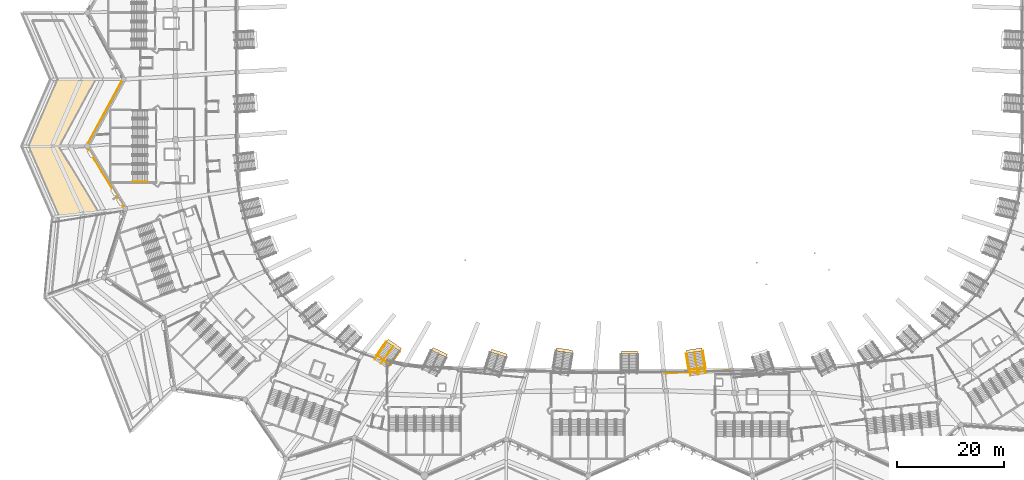
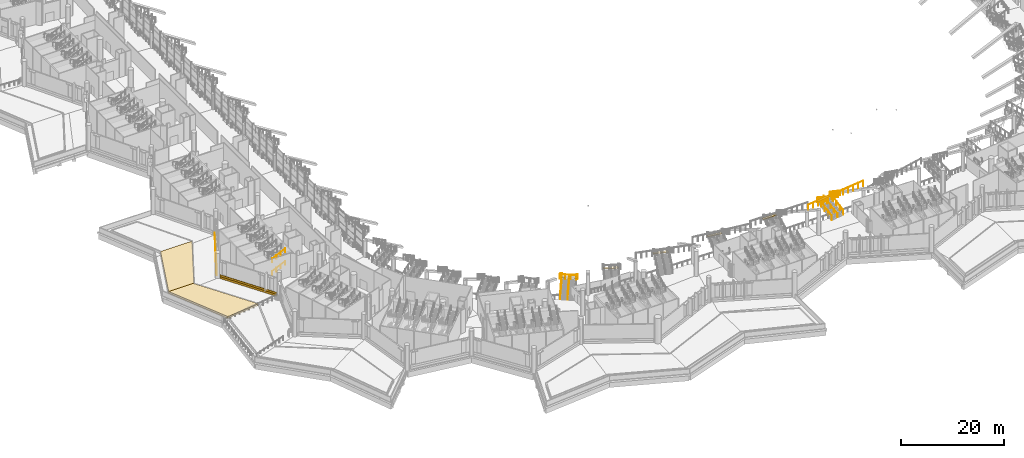
# One storey, part 120 of 173: 12 coverings, 10 railings.
"""IFC4 building model written with IfcOpenShell, lengths in metres."""

from ifc_helpers import new_model, si_unit, direction, frame, origin, origin_2d, place, context, subcontext, project, spatial, polyline, rectangle, circle, outline, extrude, material, layer, layer_set, type_object, element, save


model = new_model("IFC4")

# Units and contexts
model_context = context("Model", 3, precision=1e-05, world=origin(), true_north=direction((0.0, 1.0)))
body_context = subcontext(model_context, "Body", "Model", "MODEL_VIEW")
ifc_project = project(units=[si_unit("LENGTHUNIT", "METRE"), si_unit("AREAUNIT", "SQUARE_METRE"), si_unit("VOLUMEUNIT", "CUBIC_METRE"), si_unit("PLANEANGLEUNIT", "RADIAN"), si_unit("MASSUNIT", "GRAM", prefix="KILO")], contexts=[model_context])

# Site, building, storey
site_placement = place(None, origin())
site = spatial("IfcSite", under=ifc_project, at=site_placement, CompositionType="ELEMENT")
building_placement = place(site_placement, origin())
building = spatial("IfcBuilding", under=site, at=building_placement, Name="Meseta Stadium", CompositionType="ELEMENT")
storey_placement = place(building_placement, frame((0.0, 0.0, 18.0)))
storey = spatial("IfcBuildingStorey", under=building, at=storey_placement, Name="L03", CompositionType="ELEMENT", Elevation=18.0)

# Coverings
ifc_material_1 = material(Name="Guadarrama granite cladding", Category="masonry")
ifc_layer_1 = layer(ifc_material_1, 0.06005859375)
ifc_layer_set_1 = layer_set([ifc_layer_1], Name="Granite plinth cladding 60")
covering_type_1 = type_object("IfcCoveringType", Name="Granite plinth cladding 60", PredefinedType="CLADDING", material=ifc_layer_set_1)
covering_1_placement = place(storey_placement, frame((-98.124267578125, -37.404052734375, 0.0), z_axis=(0.0, 0.0, 1.0), x_axis=(0.47786723231, 0.878432073802, 0.0)))
element("IfcCovering", 1, at=covering_1_placement, inside=storey, type_object=covering_type_1, Name="Granite plinth L03 F35", PredefinedType="CLADDING", context=body_context, shape_type="SweptSolid", body=[
    extrude(rectangle(XDim=13.040283203125, YDim=0.06005859375, at=origin_2d()), origin(), (0.0, 0.0, 1.0), 0.5),
])
covering_2_placement = place(storey_placement, frame((-97.966796875, -49.697509765625, 0.0), z_axis=(0.0, 0.0, 1.0), x_axis=(-0.519362515398, 0.854554022634, 0.0)))
element("IfcCovering", 2, at=covering_2_placement, inside=storey, type_object=covering_type_1, Name="Granite plinth L03 F36", PredefinedType="CLADDING", context=body_context, shape_type="SweptSolid", body=[
    extrude(rectangle(XDim=12.492431640625, YDim=0.06005859375, at=origin_2d()), origin(), (0.0, 0.0, 1.0), 0.5),
])
ifc_material_2 = material(Name="Planting soil")
ifc_layer_2 = layer(ifc_material_2, 0.449951171875)
ifc_layer_set_2 = layer_set([ifc_layer_2], Name="Planting soil 450")
covering_type_2 = type_object("IfcCoveringType", Name="Planting soil 450", PredefinedType="FLOORING", material=ifc_layer_set_2)
covering_3_placement = place(storey_placement, origin())
element("IfcCovering", 3, at=covering_3_placement, inside=storey, type_object=covering_type_2, Name="Roof garden planting bed 5.1 panel 01", PredefinedType="FLOORING", context=body_context, shape_type="SweptSolid", body=[
    extrude(outline(polyline([(-99.8935546875, -31.25), (-106.966064453125, -31.25), (-112.364501953125, -43.74658203125), (-112.363037109375, -43.75), (-106.693603515625, -43.75), (-99.8935546875, -31.25)])), origin(), (0.0, 0.0, 1.0), 0.449951171875),
])
covering_4_placement = place(storey_placement, origin())
element("IfcCovering", 4, at=covering_4_placement, inside=storey, type_object=covering_type_2, Name="Roof garden planting bed 5.1 panel 02", PredefinedType="FLOORING", context=body_context, shape_type="SweptSolid", body=[
    extrude(outline(polyline([(-106.693603515625, -43.75), (-112.363037109375, -43.75), (-106.676513671875, -56.76416015625), (-106.683349609375, -56.83740234375), (-99.38720703125, -56.015380859375), (-106.763427734375, -43.87841796875), (-106.693603515625, -43.75)])), origin(), (0.0, 0.0, 1.0), 0.449951171875),
])

# Railings
ifc_material_3 = material(Name="Steel S355", Category="steel")
railing_type_1 = type_object("IfcRailingType", Name="Stair handrail 900", PredefinedType="HANDRAIL", material=ifc_material_3)
for number, where, name in (
    (5, (-92.97998046875, -50.39990234375, 1.64990234375), "ST76 L03 handrail 2"),
    (6, (-92.97998046875, -50.39990234375, 4.64990234375), "ST76 L03 handrail 4"),
):
    element("IfcRailing", number, at=place(storey_placement, frame(where)), inside=storey, type_object=railing_type_1, Name=name, PredefinedType="HANDRAIL", context=body_context, shape_type="SweptSolid", body=[
        extrude(circle(Radius=0.02392578125, at=origin_2d()), frame((0.0, 0.0, 0.8759765625), z_axis=(0.905440498372, 0.0, 0.424473207528), x_axis=(0.0, 1.0, 0.0)), (0.0, 0.0, 1.0), 3.1806640625),
        extrude(circle(Radius=0.02099609375, at=origin_2d()), origin(), (0.0, 0.0, 1.0), 0.851806640625),
        extrude(circle(Radius=0.02099609375, at=origin_2d()), frame((0.9599609375, 0.0, 0.449951171875)), (0.0, 0.0, 1.0), 0.851806640625),
        extrude(circle(Radius=0.02099609375, at=origin_2d()), frame((1.919921875, 0.0, 0.900146484375)), (0.0, 0.0, 1.0), 0.851806640625),
        extrude(circle(Radius=0.02099609375, at=origin_2d()), frame((2.8798828125, 0.0, 1.35009765625)), (0.0, 0.0, 1.0), 0.851806640625),
    ])
ifc_material_4 = material(Name="Steel S355", Category="steel")
railing_type_2 = type_object("IfcRailingType", Name="Stand rear guard 1300", PredefinedType="GUARDRAIL", material=ifc_material_4)
railing_1_placement = place(storey_placement, frame((6.4208984375, -86.3046875, 3.9775390625)))
element("IfcRailing", 7, at=railing_1_placement, inside=storey, type_object=railing_type_2, Name="Stand upper tier rear guard bay 48", PredefinedType="GUARDRAIL", context=body_context, shape_type="SweptSolid", body=[
    extrude(circle(Radius=0.02490234375, at=origin_2d()), frame((0.0, 0.0, 1.27490234375), z_axis=(0.996516209228, 0.04984306383, 0.066866387168), x_axis=(-0.049954865883, 0.998751476282, 0.0)), (0.0, 0.0, 1.0), 12.7353515625),
    extrude(circle(Radius=0.02001953125, at=origin_2d()), origin(), (0.0, 0.0, 1.0), 1.25),
    extrude(circle(Radius=0.02001953125, at=origin_2d()), frame((1.15380859375, 0.0576171875, 0.077392578125)), (0.0, 0.0, 1.0), 1.25),
    extrude(circle(Radius=0.02001953125, at=origin_2d()), frame((2.307373046875, 0.115478515625, 0.15478515625)), (0.0, 0.0, 1.0), 1.25),
    extrude(circle(Radius=0.02001953125, at=origin_2d()), frame((3.461181640625, 0.173095703125, 0.232177734375)), (0.0, 0.0, 1.0), 1.25),
    extrude(circle(Radius=0.02001953125, at=origin_2d()), frame((4.614990234375, 0.230712890625, 0.3095703125)), (0.0, 0.0, 1.0), 1.25),
    extrude(circle(Radius=0.02001953125, at=origin_2d()), frame((5.7685546875, 0.28857421875, 0.386962890625)), (0.0, 0.0, 1.0), 1.25),
    extrude(circle(Radius=0.02001953125, at=origin_2d()), frame((6.92236328125, 0.34619140625, 0.464599609375)), (0.0, 0.0, 1.0), 1.25),
    extrude(circle(Radius=0.02001953125, at=origin_2d()), frame((8.075927734375, 0.404052734375, 0.5419921875)), (0.0, 0.0, 1.0), 1.25),
    extrude(circle(Radius=0.02001953125, at=origin_2d()), frame((9.229736328125, 0.461669921875, 0.619384765625)), (0.0, 0.0, 1.0), 1.25),
    extrude(circle(Radius=0.02001953125, at=origin_2d()), frame((10.383544921875, 0.519287109375, 0.69677734375)), (0.0, 0.0, 1.0), 1.25),
    extrude(circle(Radius=0.02001953125, at=origin_2d()), frame((11.537109375, 0.5771484375, 0.774169921875)), (0.0, 0.0, 1.0), 1.25),
    extrude(circle(Radius=0.02001953125, at=origin_2d()), frame((12.69091796875, 0.634765625, 0.8515625)), (0.0, 0.0, 1.0), 1.25),
])

# Coverings
ifc_material_5 = material(Name="Precast concrete C40/50, terracotta pigment", Category="masonry")
ifc_layer_3 = layer(ifc_material_5, 0.080078125)
ifc_layer_set_3 = layer_set([ifc_layer_3], Name="Precast concrete C40/50, terracotta pigment")
covering_type_3 = type_object("IfcCoveringType", Name="Terracotta precast band 80", PredefinedType="CLADDING", material=ifc_layer_set_3)
covering_5_placement = place(storey_placement, frame((-98.133056640625, -37.399169921875, 0.5), z_axis=(0.0, 0.0, 1.0), x_axis=(0.47786723231, 0.878432073802, 0.0)))
element("IfcCovering", 8, at=covering_5_placement, inside=storey, type_object=covering_type_3, Name="Terracotta band L03 F35", PredefinedType="CLADDING", context=body_context, shape_type="SweptSolid", body=[
    extrude(rectangle(XDim=13.040283203125, YDim=0.080078125, at=origin_2d()), origin(), (0.0, 0.0, 1.0), 0.449951171875),
])
covering_6_placement = place(storey_placement, frame((-97.97509765625, -49.702880859375, 0.5), z_axis=(0.0, 0.0, 1.0), x_axis=(-0.519362515398, 0.854554022634, 0.0)))
element("IfcCovering", 9, at=covering_6_placement, inside=storey, type_object=covering_type_3, Name="Terracotta band L03 F36", PredefinedType="CLADDING", context=body_context, shape_type="SweptSolid", body=[
    extrude(rectangle(XDim=12.492431640625, YDim=0.080078125, at=origin_2d()), origin(), (0.0, 0.0, 1.0), 0.449951171875),
])
ifc_material_6 = material(Name="Stone paving", Category="masonry")
ifc_layer_4 = layer(ifc_material_6, 0.02001953125)
ifc_layer_set_4 = layer_set([ifc_layer_4], Name="Vomitory exit threshold plate 20")
covering_type_4 = type_object("IfcCoveringType", Name="Vomitory exit threshold plate 20", PredefinedType="FLOORING", material=ifc_layer_set_4)
for number, where, z_axis, x_axis, name in (
    (10, (-44.034423828125, -80.973876953125, 2.451416015625), (0.0, 0.0, 1.0), (0.567899772853, 0.82309771473, 0.0), "Vomitory V-upper-43 exit threshold"),
    (11, (-35.51220703125, -82.339599609375, 2.5791015625), (0.0, 0.0, 1.0), (0.437966379942, 0.898991351483, 0.0), "Vomitory V-upper-44 exit threshold"),
    (12, (-24.425537109375, -82.470458984375, 2.455322265625), (0.0, 0.0, 1.0), (0.302579501013, 0.953124150133, 0.0), "Vomitory V-upper-45 exit threshold"),
    (13, (-12.13916015625, -82.013427734375, 2.077880859375), (0.0, 0.0, 1.0), (0.15676715754, 0.987635589839, 0.0), "Vomitory V-upper-46 exit threshold"),
    (14, (0.0, -82.352783203125, 2.26318359375), (0.0, 0.0, 1.0), (0.0, 1.0, 0.0), "Vomitory V-upper-47 exit threshold"),
    (15, (12.13916015625, -82.013427734375, 2.077880859375), (0.0, 0.0, 1.0), (-0.15676715754, 0.987635589839, 0.0), "Vomitory V-upper-48 exit threshold"),
):
    element("IfcCovering", number, at=place(storey_placement, frame(where, z_axis=z_axis, x_axis=x_axis)), inside=storey, type_object=covering_type_4, Name=name, PredefinedType="FLOORING", context=body_context, shape_type="SweptSolid", body=[
        extrude(rectangle(XDim=0.60009765625, YDim=3.0, at=origin_2d()), origin(), (0.0, 0.0, 1.0), 0.02001953125),
    ])

# Railings
ifc_material_7 = material(Name="Steel S355", Category="steel")
railing_type_3 = type_object("IfcRailingType", Name="Vomitory slot guard 1100", PredefinedType="GUARDRAIL", material=ifc_material_7)
railing_2_placement = place(storey_placement, frame((-42.906982421875, -82.157470703125, 2.471435546875)))
element("IfcRailing", 16, at=railing_2_placement, inside=storey, type_object=railing_type_3, Name="Vomitory V-upper-43 slot guard", PredefinedType="GUARDRAIL", context=body_context, shape_type="SweptSolid", body=[
    extrude(circle(Radius=0.02490234375, at=origin_2d()), frame((0.0, 0.0, 1.0751953125), z_axis=(-0.48158808882, -0.697972142041, 0.530007359988), x_axis=(0.823087110293, -0.567915142314, 0.0)), (0.0, 0.0, 1.0), 3.655517578125),
    extrude(circle(Radius=0.02490234375, at=origin_2d()), frame((-1.760498046875, -2.551513671875, 3.0126953125), z_axis=(-0.8231303975, 0.567852400463, 0.0), x_axis=(-0.567852400463, -0.8231303975, 0.0)), (0.0, 0.0, 1.0), 3.199951171875),
    extrude(circle(Radius=0.02490234375, at=origin_2d()), frame((-4.39453125, -0.734375, 3.0126953125), z_axis=(0.481565640467, 0.698006389428, -0.529982654659), x_axis=(-0.823112509059, 0.567878329777, 0.0)), (0.0, 0.0, 1.0), 3.65576171875),
    extrude(circle(Radius=0.02001953125, at=origin_2d()), origin(), (0.0, 0.0, 1.0), 1.050048828125),
    extrude(circle(Radius=0.02001953125, at=origin_2d()), frame((-0.440185546875, -0.637939453125, 0.484375)), (0.0, 0.0, 1.0), 1.050048828125),
    extrude(circle(Radius=0.02001953125, at=origin_2d()), frame((-0.88037109375, -1.27587890625, 0.96875)), (0.0, 0.0, 1.0), 1.050048828125),
    extrude(circle(Radius=0.02001953125, at=origin_2d()), frame((-1.3203125, -1.91357421875, 1.453125)), (0.0, 0.0, 1.0), 1.050048828125),
    extrude(circle(Radius=0.02001953125, at=origin_2d()), frame((-1.760498046875, -2.551513671875, 1.9375)), (0.0, 0.0, 1.0), 1.050048828125),
    extrude(circle(Radius=0.02001953125, at=origin_2d()), frame((-2.638427734375, -1.94580078125, 1.9375)), (0.0, 0.0, 1.0), 1.050048828125),
    extrude(circle(Radius=0.02001953125, at=origin_2d()), frame((-3.5166015625, -1.340087890625, 1.9375)), (0.0, 0.0, 1.0), 1.050048828125),
    extrude(circle(Radius=0.02001953125, at=origin_2d()), frame((-4.39453125, -0.734375, 1.9375)), (0.0, 0.0, 1.0), 1.050048828125),
    extrude(circle(Radius=0.02001953125, at=origin_2d()), frame((-3.954345703125, -0.096435546875, 1.453125)), (0.0, 0.0, 1.0), 1.050048828125),
    extrude(circle(Radius=0.02001953125, at=origin_2d()), frame((-3.51416015625, 0.54150390625, 0.96875)), (0.0, 0.0, 1.0), 1.050048828125),
    extrude(circle(Radius=0.02001953125, at=origin_2d()), frame((-3.07421875, 1.179443359375, 0.484375)), (0.0, 0.0, 1.0), 1.050048828125),
    extrude(circle(Radius=0.02001953125, at=origin_2d()), frame((-2.634033203125, 1.8173828125, 0.0)), (0.0, 0.0, 1.0), 1.050048828125),
])
railing_3_placement = place(storey_placement, frame((13.771728515625, -82.092529296875, 2.097900390625)))
element("IfcRailing", 17, at=railing_3_placement, inside=storey, type_object=railing_type_3, Name="Vomitory V-upper-48 slot guard", PredefinedType="GUARDRAIL", context=body_context, shape_type="SweptSolid", body=[
    extrude(circle(Radius=0.02490234375, at=origin_2d()), frame((0.0, 0.0, 1.0751953125), z_axis=(0.132963749963, -0.83751802526, 0.529985092772), x_axis=(0.987631076604, 0.156795588352, 0.0)), (0.0, 0.0, 1.0), 3.65576171875),
    extrude(circle(Radius=0.02490234375, at=origin_2d()), frame((0.486083984375, -3.061767578125, 3.0126953125), z_axis=(-0.987644527037, -0.156710842683, 0.0), x_axis=(0.156710842683, -0.987644527037, 0.0)), (0.0, 0.0, 1.0), 3.199951171875),
    extrude(circle(Radius=0.02490234375, at=origin_2d()), frame((-2.67431640625, -3.563232421875, 3.0126953125), z_axis=(-0.132963749963, 0.83751802526, -0.529985092772), x_axis=(-0.987631076604, -0.156795588352, 0.0)), (0.0, 0.0, 1.0), 3.65576171875),
    extrude(circle(Radius=0.02001953125, at=origin_2d()), origin(), (0.0, 0.0, 1.0), 1.050048828125),
    extrude(circle(Radius=0.02001953125, at=origin_2d()), frame((0.12158203125, -0.765380859375, 0.484375)), (0.0, 0.0, 1.0), 1.050048828125),
    extrude(circle(Radius=0.02001953125, at=origin_2d()), frame((0.2431640625, -1.53076171875, 0.96875)), (0.0, 0.0, 1.0), 1.050048828125),
    extrude(circle(Radius=0.02001953125, at=origin_2d()), frame((0.364501953125, -2.29638671875, 1.453125)), (0.0, 0.0, 1.0), 1.050048828125),
    extrude(circle(Radius=0.02001953125, at=origin_2d()), frame((0.486083984375, -3.061767578125, 1.9375)), (0.0, 0.0, 1.0), 1.050048828125),
    extrude(circle(Radius=0.02001953125, at=origin_2d()), frame((-0.5673828125, -3.22900390625, 1.9375)), (0.0, 0.0, 1.0), 1.050048828125),
    extrude(circle(Radius=0.02001953125, at=origin_2d()), frame((-1.620849609375, -3.39599609375, 1.9375)), (0.0, 0.0, 1.0), 1.050048828125),
    extrude(circle(Radius=0.02001953125, at=origin_2d()), frame((-2.67431640625, -3.563232421875, 1.9375)), (0.0, 0.0, 1.0), 1.050048828125),
    extrude(circle(Radius=0.02001953125, at=origin_2d()), frame((-2.7958984375, -2.7978515625, 1.453125)), (0.0, 0.0, 1.0), 1.050048828125),
    extrude(circle(Radius=0.02001953125, at=origin_2d()), frame((-2.91748046875, -2.0322265625, 0.96875)), (0.0, 0.0, 1.0), 1.050048828125),
    extrude(circle(Radius=0.02001953125, at=origin_2d()), frame((-3.038818359375, -1.266845703125, 0.484375)), (0.0, 0.0, 1.0), 1.050048828125),
    extrude(circle(Radius=0.02001953125, at=origin_2d()), frame((-3.160400390625, -0.50146484375, 0.0)), (0.0, 0.0, 1.0), 1.050048828125),
])
ifc_material_8 = material(Name="Steel S355", Category="steel")
railing_type_4 = type_object("IfcRailingType", Name="Vomitory stair guard 1100", PredefinedType="GUARDRAIL", material=ifc_material_8)
railing_4_placement = place(storey_placement, frame((-47.643798828125, -83.65185546875, 0.164794921875)))
element("IfcRailing", 18, at=railing_4_placement, inside=storey, type_object=railing_type_4, Name="Vomitory V-upper-43 guard left", PredefinedType="GUARDRAIL", context=body_context, shape_type="SweptSolid", body=[
    extrude(circle(Radius=0.02490234375, at=origin_2d()), frame((0.0, 0.0, 1.0751953125), z_axis=(0.489474665706, 0.70938668516, 0.507134185941), x_axis=(-0.823081280051, 0.567923592069, 0.0)), (0.0, 0.0, 1.0), 4.54833984375),
    extrude(circle(Radius=0.02001953125, at=origin_2d()), origin(), (0.0, 0.0, 1.0), 1.050048828125),
    extrude(circle(Radius=0.02001953125, at=origin_2d()), frame((0.556640625, 0.806640625, 0.57666015625)), (0.0, 0.0, 1.0), 1.050048828125),
    extrude(circle(Radius=0.02001953125, at=origin_2d()), frame((1.11328125, 1.61328125, 1.1533203125)), (0.0, 0.0, 1.0), 1.050048828125),
    extrude(circle(Radius=0.02001953125, at=origin_2d()), frame((1.669677734375, 2.419921875, 1.72998046875)), (0.0, 0.0, 1.0), 1.050048828125),
    extrude(circle(Radius=0.02001953125, at=origin_2d()), frame((2.226318359375, 3.2265625, 2.306640625)), (0.0, 0.0, 1.0), 1.050048828125),
])
for number, where, name in (
    (19, (11.41796875, -86.71875, 0.131103515625), "Vomitory V-upper-48 guard left"),
    (20, (14.281982421875, -86.26416015625, 0.131103515625), "Vomitory V-upper-48 guard right"),
):
    element("IfcRailing", number, at=place(storey_placement, frame(where)), inside=storey, type_object=railing_type_4, Name=name, PredefinedType="GUARDRAIL", context=body_context, shape_type="SweptSolid", body=[
        extrude(circle(Radius=0.02490234375, at=origin_2d()), frame((0.0, 0.0, 1.0751953125), z_axis=(-0.141973518733, 0.894427903893, 0.424078111574), x_axis=(-0.987635385611, -0.156768444176, 0.0)), (0.0, 0.0, 1.0), 4.637939453125),
        extrude(circle(Radius=0.02001953125, at=origin_2d()), origin(), (0.0, 0.0, 1.0), 1.050048828125),
        extrude(circle(Radius=0.02001953125, at=origin_2d()), frame((-0.16455078125, 1.037109375, 0.49169921875)), (0.0, 0.0, 1.0), 1.050048828125),
        extrude(circle(Radius=0.02001953125, at=origin_2d()), frame((-0.3291015625, 2.07421875, 0.9833984375)), (0.0, 0.0, 1.0), 1.050048828125),
        extrude(circle(Radius=0.02001953125, at=origin_2d()), frame((-0.493896484375, 3.111083984375, 1.47509765625)), (0.0, 0.0, 1.0), 1.050048828125),
        extrude(circle(Radius=0.02001953125, at=origin_2d()), frame((-0.658447265625, 4.148193359375, 1.966796875)), (0.0, 0.0, 1.0), 1.050048828125),
    ])
ifc_material_9 = material(Name="Steel S355", Category="steel")
railing_type_5 = type_object("IfcRailingType", Name="Vomitory stair handrail 900", PredefinedType="HANDRAIL", material=ifc_material_9)
railing_5_placement = place(storey_placement, frame((-46.4501953125, -84.475341796875, 0.164794921875)))
element("IfcRailing", 21, at=railing_5_placement, inside=storey, type_object=railing_type_5, Name="Vomitory V-upper-43 central handrail", PredefinedType="HANDRAIL", context=body_context, shape_type="SweptSolid", body=[
    extrude(circle(Radius=0.02490234375, at=origin_2d()), frame((0.0, 0.0, 0.875), z_axis=(0.489433847818, 0.709405322741, 0.507147509781), x_axis=(-0.82311039222, 0.567881398022, 0.0)), (0.0, 0.0, 1.0), 4.54833984375),
    extrude(circle(Radius=0.02001953125, at=origin_2d()), origin(), (0.0, 0.0, 1.0), 0.849853515625),
    extrude(circle(Radius=0.02001953125, at=origin_2d()), frame((0.556640625, 0.806640625, 0.57666015625)), (0.0, 0.0, 1.0), 0.849853515625),
    extrude(circle(Radius=0.02001953125, at=origin_2d()), frame((1.113037109375, 1.61328125, 1.1533203125)), (0.0, 0.0, 1.0), 0.849853515625),
    extrude(circle(Radius=0.02001953125, at=origin_2d()), frame((1.66943359375, 2.419921875, 1.72998046875)), (0.0, 0.0, 1.0), 0.849853515625),
    extrude(circle(Radius=0.02001953125, at=origin_2d()), frame((2.22607421875, 3.2265625, 2.306640625)), (0.0, 0.0, 1.0), 0.849853515625),
])
railing_6_placement = place(storey_placement, frame((12.85009765625, -86.491455078125, 0.131103515625)))
element("IfcRailing", 22, at=railing_6_placement, inside=storey, type_object=railing_type_5, Name="Vomitory V-upper-48 central handrail", PredefinedType="HANDRAIL", context=body_context, shape_type="SweptSolid", body=[
    extrude(circle(Radius=0.02490234375, at=origin_2d()), frame((0.0, 0.0, 0.875), z_axis=(-0.141973518733, 0.894427903893, 0.424078111574), x_axis=(-0.987635385611, -0.156768444176, 0.0)), (0.0, 0.0, 1.0), 4.637939453125),
    extrude(circle(Radius=0.02001953125, at=origin_2d()), origin(), (0.0, 0.0, 1.0), 0.849853515625),
    extrude(circle(Radius=0.02001953125, at=origin_2d()), frame((-0.16455078125, 1.037109375, 0.49169921875)), (0.0, 0.0, 1.0), 0.849853515625),
    extrude(circle(Radius=0.02001953125, at=origin_2d()), frame((-0.3291015625, 2.07421875, 0.9833984375)), (0.0, 0.0, 1.0), 0.849853515625),
    extrude(circle(Radius=0.02001953125, at=origin_2d()), frame((-0.493896484375, 3.111083984375, 1.47509765625)), (0.0, 0.0, 1.0), 0.849853515625),
    extrude(circle(Radius=0.02001953125, at=origin_2d()), frame((-0.658447265625, 4.148193359375, 1.966796875)), (0.0, 0.0, 1.0), 0.849853515625),
])

save(model, "model.ifc")
